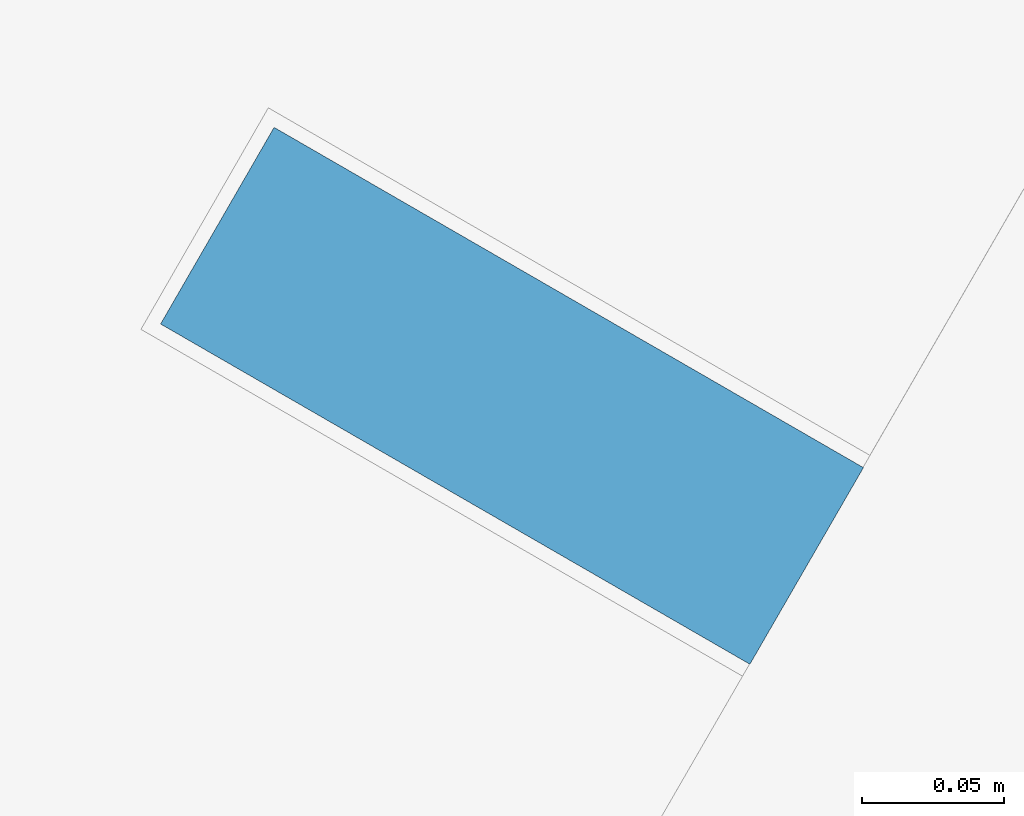
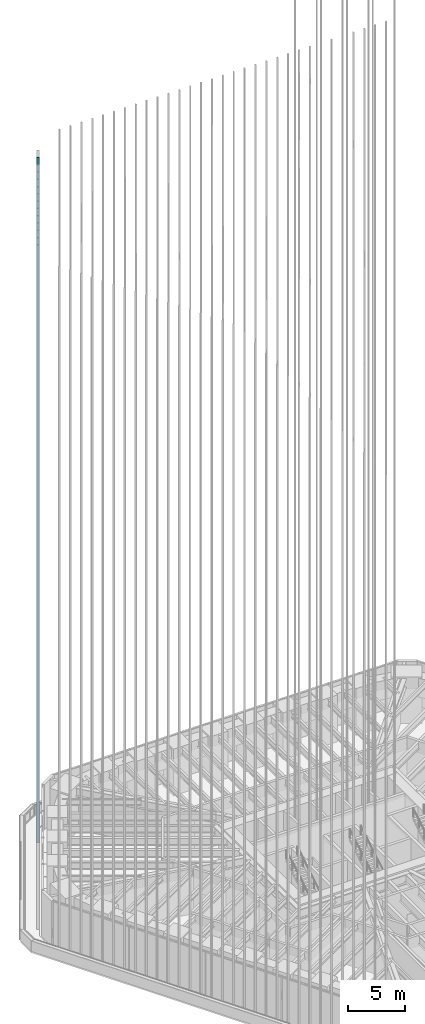
# One storey, part 151 of 228: 1 member, 1 element without a shape of its own.
"""IFC4 building model written with IfcOpenShell, lengths in metres."""

from ifc_helpers import new_model, si_unit, direction, frame, origin, origin_2d, place, context, subcontext, project, spatial, rectangle, extrude, material, material_profile, profile_set, type_object, element, aggregate, save


model = new_model("IFC4")

# Units and contexts
model_context = context("Model", 3, precision=1e-05, world=origin(), true_north=direction((0.0, 1.0)))
body_context = subcontext(model_context, "Body", "Model", "MODEL_VIEW")
ifc_project = project(units=[si_unit("LENGTHUNIT", "METRE"), si_unit("AREAUNIT", "SQUARE_METRE"), si_unit("VOLUMEUNIT", "CUBIC_METRE"), si_unit("PLANEANGLEUNIT", "RADIAN"), si_unit("MASSUNIT", "GRAM", prefix="KILO")], contexts=[model_context])

# Site, building, storey
site_placement = place(None, origin())
site = spatial("IfcSite", under=ifc_project, at=site_placement, CompositionType="ELEMENT")
building_placement = place(site_placement, origin())
building = spatial("IfcBuilding", under=site, at=building_placement, Name="Sandreach Pilgrim Tower", CompositionType="ELEMENT")
storey_placement = place(building_placement, frame((0.0, 0.0, 178.199951171875)))
storey = spatial("IfcBuildingStorey", under=building, at=storey_placement, Name="L44", CompositionType="ELEMENT", Elevation=178.199951171875)

# Curtain wall, member
ifc_material_1 = material(Name="Aluminium framed curtain wall", Category="aluminium")
curtain_wall_type = type_object("IfcCurtainWallType", Name="Upper hotel tower curtain wall", PredefinedType="NOTDEFINED", material=ifc_material_1)
curtain_wall_placement = place(storey_placement, origin())
curtain_wall = element("IfcCurtainWall", 1, at=curtain_wall_placement, inside=storey, type_object=curtain_wall_type, Name="CW-3 L44 NW", PredefinedType="NOTDEFINED")
ifc_material_2 = material(Name="Extruded terracotta on aluminium core", Category="masonry")
ifc_material_profile = material_profile(ifc_material_2, rectangle(XDim=0.080078125, YDim=0.239990234375, at=origin_2d()), Name="TBW 80X240")
ifc_profile_set = profile_set([ifc_material_profile], Name="Extruded terracotta on aluminium core")
member_type = type_object("IfcMemberType", Name="Terracotta baguette west", PredefinedType="USERDEFINED", material=ifc_profile_set)
member_placement = place(storey_placement, frame((-20.277099609375, 18.76904296875, 0.0), z_axis=(0.0, 0.0, 1.0), x_axis=(0.5, 0.866025403784, 0.0)))
member = element("IfcMember", 2, at=member_placement, type_object=member_type, Name="Baguette Z3 NW13", ObjectType="BAGUETTE", PredefinedType="USERDEFINED", context=body_context, shape_type="SweptSolid", body=[
    extrude(rectangle(XDim=0.080078125, YDim=0.239990234375, at=origin_2d()), origin(), (0.0, 0.0, 1.0), 73.239990234375),
])
aggregate(curtain_wall, [member])

save(model, "model.ifc")
